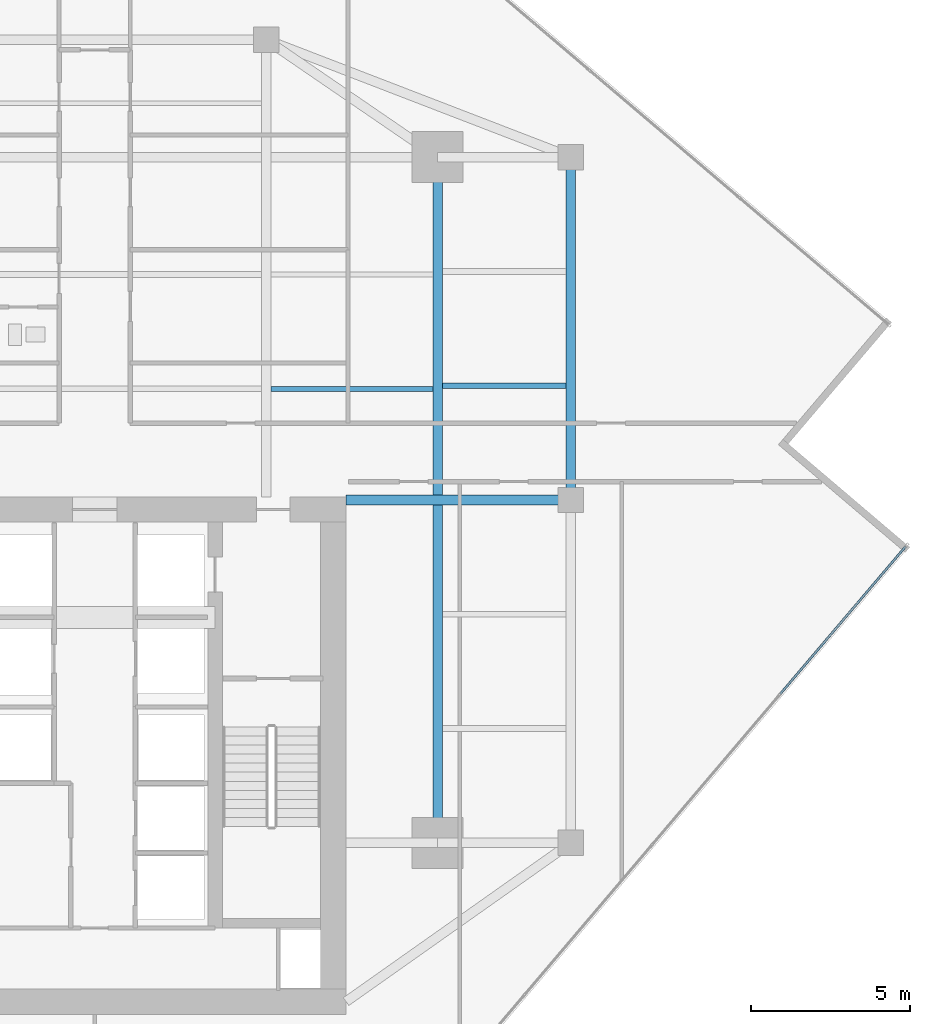
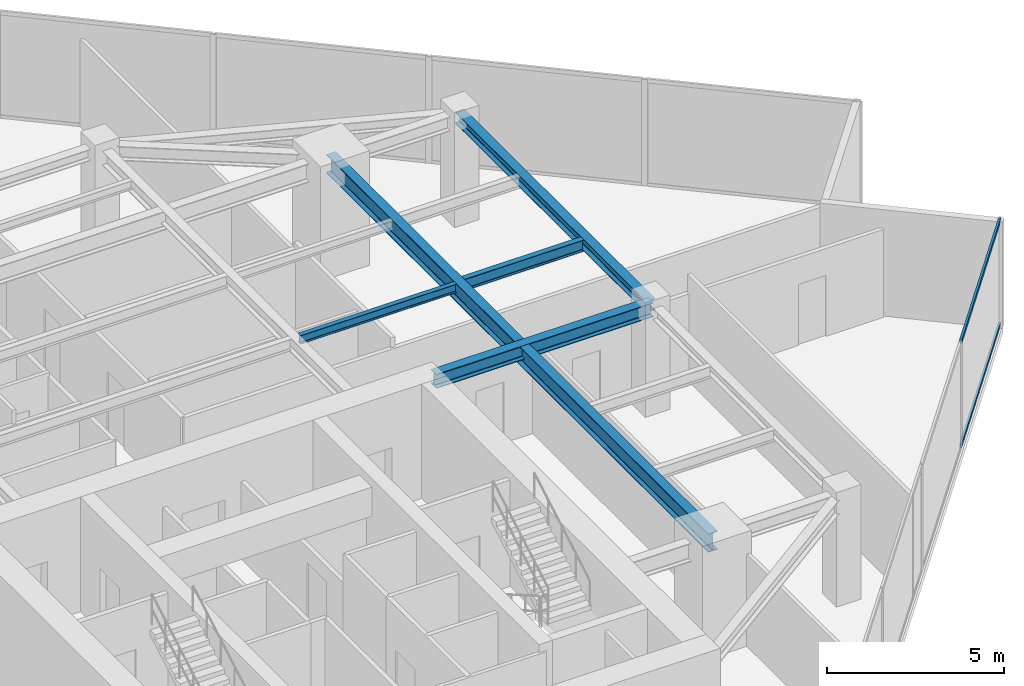
# One storey, part 12 of 25: 5 beams, 2 members, 1 element without a shape of its own.
"""IFC4 building model written with IfcOpenShell, lengths in metres."""

from ifc_helpers import new_model, si_unit, direction, frame, origin, origin_2d, place, context, subcontext, project, spatial, hollow_rectangle, i_section, extrude, source, transform, mapped, material, material_profile, profile_set, type_object, type_shapes, element, aggregate, save


model = new_model("IFC4")

# Units and contexts
model_context = context("Model", 3, precision=1e-05, world=origin(), true_north=direction((0.0, 1.0)))
body_context = subcontext(model_context, "Body", "Model", "MODEL_VIEW")
ifc_project = project(units=[si_unit("LENGTHUNIT", "METRE"), si_unit("AREAUNIT", "SQUARE_METRE"), si_unit("VOLUMEUNIT", "CUBIC_METRE"), si_unit("PLANEANGLEUNIT", "RADIAN"), si_unit("MASSUNIT", "GRAM", prefix="KILO")], contexts=[model_context])

# Site, building, storey
site_placement = place(None, origin())
site = spatial("IfcSite", under=ifc_project, at=site_placement, CompositionType="ELEMENT")
building_placement = place(site_placement, origin())
building = spatial("IfcBuilding", under=site, at=building_placement, Name="Krantzveldt Concourse Tower", CompositionType="ELEMENT")
storey_placement = place(building_placement, frame((0.0, 0.0, 215.199951171875)))
storey = spatial("IfcBuildingStorey", under=building, at=storey_placement, Name="L52", CompositionType="ELEMENT", Elevation=215.199951171875)

# Beams
ifc_material_1 = material(Name="Steel S355JR", Category="steel")
ifc_material_profile_1 = material_profile(ifc_material_1, i_section(OverallWidth=0.300048828125, OverallDepth=0.639892578125, WebThickness=0.013427734375, FlangeThickness=0.02587890625, FilletRadius=0.027099609375, at=origin_2d()), Name="Steel S355JR", Category="steel")
ifc_profile_set_1 = profile_set([ifc_material_profile_1], Name="Steel S355JR - HEA 650")
beam_type_1 = type_object("IfcBeamType", Name="BM-B-HEA650", PredefinedType="BEAM", material=ifc_profile_set_1)
shared_shape_1 = source(origin(), body_context, "Body", "SweptSolid", [
    extrude(i_section(OverallWidth=0.300048828125, OverallDepth=0.639892578125, WebThickness=0.013427734375, FlangeThickness=0.02587890625, FilletRadius=0.027099609375, at=origin_2d()), origin(), (0.0, 0.0, 1.0), 21.60009765625),
])
type_shapes(beam_type_1, [shared_shape_1])
beam_1_placement = place(storey_placement, frame((46.800048828125, 15.89990234375, 3.35009765625), z_axis=(0.0, 1.0, 0.0), x_axis=(-1.0, 0.0, 0.0)))
element("IfcBeam", 1, at=beam_1_placement, inside=storey, type_object=beam_type_1, Name="L52 Tower Girder BG-ME", PredefinedType="BEAM", context=body_context, shape_type="MappedRepresentation", body=[
    mapped(shared_shape_1, transform((0.0, 0.0, 0.0), x_axis=(1.0, 0.0, 0.0), y_axis=(0.0, 1.0, 0.0), z_axis=(0.0, 0.0, 1.0), scale=1.0)),
])
ifc_material_profile_2 = material_profile(ifc_material_1, i_section(OverallWidth=0.300048828125, OverallDepth=0.389892578125, WebThickness=0.010986328125, FlangeThickness=0.01904296875, FilletRadius=0.027099609375, at=origin_2d()), Name="Steel S355JR", Category="steel")
ifc_profile_set_2 = profile_set([ifc_material_profile_2], Name="Steel S355JR - HEA 400")
beam_type_2 = type_object("IfcBeamType", Name="BM-SP-HEA400", PredefinedType="SPANDREL", material=ifc_profile_set_2)
shared_shape_2 = source(origin(), body_context, "Body", "SweptSolid", [
    extrude(i_section(OverallWidth=0.300048828125, OverallDepth=0.389892578125, WebThickness=0.010986328125, FlangeThickness=0.01904296875, FilletRadius=0.027099609375, at=origin_2d()), origin(), (0.0, 0.0, 1.0), 10.800048828125),
])
type_shapes(beam_type_2, [shared_shape_2])
beam_2_placement = place(storey_placement, frame((51.0, 37.5, 3.47509765625), z_axis=(0.0, -1.0, 0.0), x_axis=(1.0, 0.0, 0.0)))
element("IfcBeam", 2, at=beam_2_placement, inside=storey, type_object=beam_type_2, Name="L52 Tower Girder SP-R06", PredefinedType="SPANDREL", context=body_context, shape_type="MappedRepresentation", body=[
    mapped(shared_shape_2, transform((0.0, 0.0, 0.0), x_axis=(1.0, 0.0, 0.0), y_axis=(0.0, 1.0, 0.0), z_axis=(0.0, 0.0, 1.0), scale=1.0)),
])
ifc_material_profile_3 = material_profile(ifc_material_1, i_section(OverallWidth=0.300048828125, OverallDepth=0.489990234375, WebThickness=0.011962890625, FlangeThickness=0.02294921875, FilletRadius=0.027099609375, at=origin_2d()), Name="Steel S355JR", Category="steel")
ifc_profile_set_3 = profile_set([ifc_material_profile_3], Name="Steel S355JR - HEA 500")
beam_type_3 = type_object("IfcBeamType", Name="BM-B-HEA500", PredefinedType="BEAM", material=ifc_profile_set_3)
shared_shape_3 = source(origin(), body_context, "Body", "SweptSolid", [
    extrude(i_section(OverallWidth=0.300048828125, OverallDepth=0.489990234375, WebThickness=0.011962890625, FlangeThickness=0.02294921875, FilletRadius=0.027099609375, at=origin_2d()), origin(), (0.0, 0.0, 1.0), 7.080078125),
])
type_shapes(beam_type_3, [shared_shape_3])
beam_3_placement = place(storey_placement, frame((43.919921875, 26.699951171875, 3.425048828125), z_axis=(1.0, 0.0, 0.0), x_axis=(0.0, 1.0, 0.0)))
element("IfcBeam", 3, at=beam_3_placement, inside=storey, type_object=beam_type_3, Name="L52 Tower Girder BG-CE2", PredefinedType="BEAM", context=body_context, shape_type="MappedRepresentation", body=[
    mapped(shared_shape_3, transform((0.0, 0.0, 0.0), x_axis=(1.0, 0.0, 0.0), y_axis=(0.0, 1.0, 0.0), z_axis=(0.0, 0.0, 1.0), scale=1.0)),
])
ifc_material_profile_4 = material_profile(ifc_material_1, i_section(OverallWidth=0.14990234375, OverallDepth=0.300048828125, WebThickness=0.007080078125, FlangeThickness=0.0107421875, FilletRadius=0.014892578125, at=origin_2d()), Name="Steel S355JR", Category="steel")
ifc_profile_set_4 = profile_set([ifc_material_profile_4], Name="Steel S355JR - IPE 300")
beam_type_4 = type_object("IfcBeamType", Name="BM-J-IPE300", PredefinedType="JOIST", material=ifc_profile_set_4)
shared_shape_4 = source(origin(), body_context, "Body", "SweptSolid", [
    extrude(i_section(OverallWidth=0.14990234375, OverallDepth=0.300048828125, WebThickness=0.007080078125, FlangeThickness=0.0107421875, FilletRadius=0.014892578125, at=origin_2d()), origin(), (0.0, 0.0, 1.0), 5.099853515625),
])
type_shapes(beam_type_4, [shared_shape_4])
beam_4_placement = place(storey_placement, frame((41.550048828125, 30.199951171875, 3.52001953125), z_axis=(1.0, 0.0, 0.0), x_axis=(0.0, 1.0, 0.0)))
element("IfcBeam", 4, at=beam_4_placement, inside=storey, type_object=beam_type_4, Name="L52 Secondary Floor Joist JN-E1", PredefinedType="JOIST", context=body_context, shape_type="MappedRepresentation", body=[
    mapped(shared_shape_4, transform((0.0, 0.0, 0.0), x_axis=(1.0, 0.0, 0.0), y_axis=(0.0, 1.0, 0.0), z_axis=(0.0, 0.0, 1.0), scale=1.0)),
])
ifc_material_profile_5 = material_profile(ifc_material_1, i_section(OverallWidth=0.179931640625, OverallDepth=0.39990234375, WebThickness=0.008544921875, FlangeThickness=0.013427734375, FilletRadius=0.02099609375, at=origin_2d()), Name="Steel S355JR", Category="steel")
ifc_profile_set_5 = profile_set([ifc_material_profile_5], Name="Steel S355JR - IPE 400")
beam_type_5 = type_object("IfcBeamType", Name="BM-J-IPE400", PredefinedType="JOIST", material=ifc_profile_set_5)
shared_shape_5 = source(origin(), body_context, "Body", "SweptSolid", [
    extrude(i_section(OverallWidth=0.179931640625, OverallDepth=0.39990234375, WebThickness=0.008544921875, FlangeThickness=0.013427734375, FilletRadius=0.02099609375, at=origin_2d()), origin(), (0.0, 0.0, 1.0), 3.900146484375),
])
type_shapes(beam_type_5, [shared_shape_5])
beam_5_placement = place(storey_placement, frame((46.949951171875, 30.300048828125, 3.469970703125), z_axis=(1.0, 0.0, 0.0), x_axis=(0.0, 1.0, 0.0)))
element("IfcBeam", 5, at=beam_5_placement, inside=storey, type_object=beam_type_5, Name="L52 Secondary Floor Joist JE-3", PredefinedType="JOIST", context=body_context, shape_type="MappedRepresentation", body=[
    mapped(shared_shape_5, transform((0.0, 0.0, 0.0), x_axis=(1.0, 0.0, 0.0), y_axis=(0.0, 1.0, 0.0), z_axis=(0.0, 0.0, 1.0), scale=1.0)),
])

# Curtain wall, members
ifc_material_2 = material(Name="Anodised aluminium 6063-T6", Category="aluminium")
curtain_wall_type = type_object("IfcCurtainWallType", Name="CW3", PredefinedType="USERDEFINED", material=ifc_material_2)
curtain_wall_placement = place(storey_placement, origin())
curtain_wall = element("IfcCurtainWall", 6, at=curtain_wall_placement, inside=storey, type_object=curtain_wall_type, Name="CW-L52-F07", ObjectType="UNITISED CURTAIN WALL", PredefinedType="USERDEFINED")
ifc_material_profile_6 = material_profile(ifc_material_2, hollow_rectangle(XDim=0.070068359375, YDim=0.139892578125, WallThickness=0.0048828125, at=origin_2d()), Name="Anodised aluminium 6063-T6", Category="aluminium")
ifc_profile_set_6 = profile_set([ifc_material_profile_6], Name="Anodised aluminium 6063-T6 - ALU-TRAN 140x70x5")
member_type = type_object("IfcMemberType", Name="CW-TRN-150", PredefinedType="USERDEFINED", material=ifc_profile_set_6)
shared_shape_6 = source(origin(), body_context, "Body", "SweptSolid", [
    extrude(hollow_rectangle(XDim=0.070068359375, YDim=0.139892578125, WallThickness=0.0048828125, at=origin_2d()), origin(), (0.0, 0.0, 1.0), 6.094970703125),
])
type_shapes(member_type, [shared_shape_6])
member_1_placement = place(storey_placement, frame((57.595947265625, 20.59033203125, 0.03515625), z_axis=(0.64778444877, 0.761823672468, 0.0), x_axis=(-0.761823672468, 0.64778444877, 0.0)))
member_1 = element("IfcMember", 7, at=member_1_placement, type_object=member_type, Name="CW-Z34 transom 5.1", ObjectType="TRANSOM", PredefinedType="USERDEFINED", context=body_context, shape_type="MappedRepresentation", body=[
    mapped(shared_shape_6, transform((0.0, 0.0, 0.0), x_axis=(1.0, 0.0, 0.0), y_axis=(0.0, 1.0, 0.0), z_axis=(0.0, 0.0, 1.0), scale=1.0)),
])
member_2_placement = place(storey_placement, frame((57.595947265625, 20.59033203125, 3.635009765625), z_axis=(0.64778444877, 0.761823672468, 0.0), x_axis=(-0.761823672468, 0.64778444877, 0.0)))
member_2 = element("IfcMember", 8, at=member_2_placement, type_object=member_type, Name="CW-Z34 transom 5.2", ObjectType="TRANSOM", PredefinedType="USERDEFINED", context=body_context, shape_type="MappedRepresentation", body=[
    mapped(shared_shape_6, transform((0.0, 0.0, 0.0), x_axis=(1.0, 0.0, 0.0), y_axis=(0.0, 1.0, 0.0), z_axis=(0.0, 0.0, 1.0), scale=1.0)),
])
aggregate(curtain_wall, [member_1, member_2])

save(model, "model.ifc")
